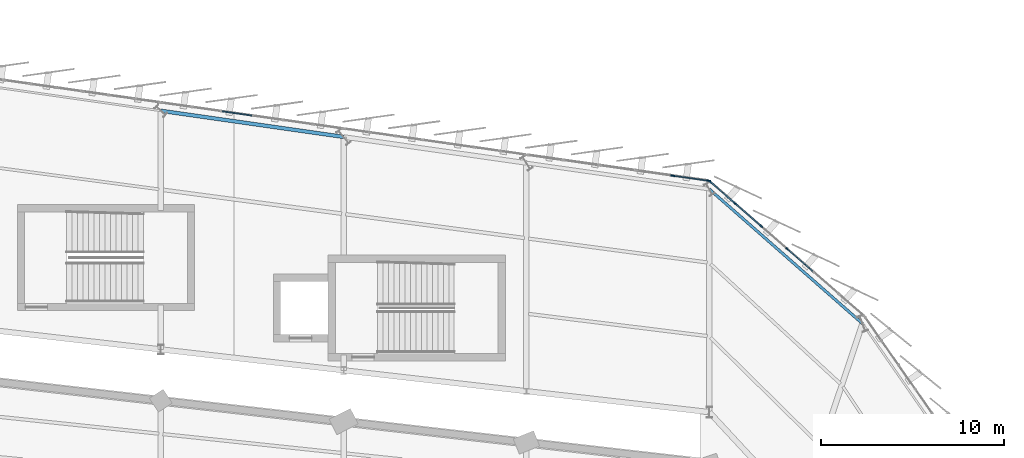
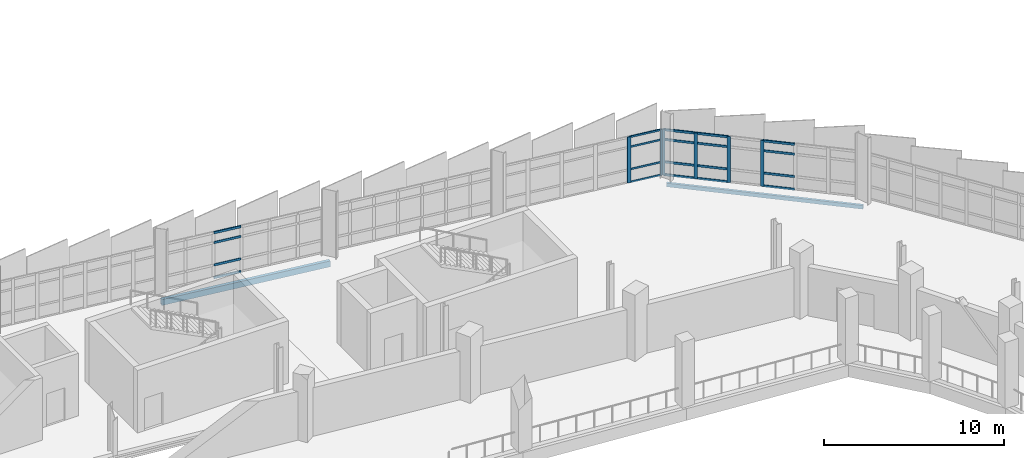
# One storey, part 75 of 125: 26 members, 2 beams, 3 elements without a shape of their own.
"""IFC4 building model written with IfcOpenShell, lengths in metres."""

from ifc_helpers import new_model, si_unit, direction, frame, origin, origin_2d, place, context, subcontext, project, spatial, rectangle, hollow_rectangle, extrude, material, layer, layer_set, material_profile, profile_set, type_object, element, aggregate, save


model = new_model("IFC4")

# Units and contexts
model_context = context("Model", 3, precision=1e-05, world=origin(), true_north=direction((0.0, 1.0)))
body_context = subcontext(model_context, "Body", "Model", "MODEL_VIEW")
ifc_project = project(units=[si_unit("LENGTHUNIT", "METRE"), si_unit("AREAUNIT", "SQUARE_METRE"), si_unit("VOLUMEUNIT", "CUBIC_METRE"), si_unit("PLANEANGLEUNIT", "RADIAN"), si_unit("MASSUNIT", "GRAM", prefix="KILO")], contexts=[model_context])

# Site, building, storey
site_placement = place(None, origin())
site = spatial("IfcSite", under=ifc_project, at=site_placement, CompositionType="ELEMENT")
building_placement = place(site_placement, origin())
building = spatial("IfcBuilding", under=site, at=building_placement, Name="Sohan Crest Arena", CompositionType="ELEMENT")
storey_placement = place(building_placement, frame((0.0, 0.0, 9.0)))
storey = spatial("IfcBuildingStorey", under=building, at=storey_placement, Name="L02", CompositionType="ELEMENT", Elevation=9.0)

# Curtain wall, members
ifc_material_1 = material(Name="Thermally broken anodised aluminium", Category="aluminium")
ifc_layer_1 = layer(ifc_material_1, 0.219970703125, Name="Thermally broken anodised aluminium")
ifc_layer_set_1 = layer_set([ifc_layer_1], Name="Thermally broken anodised aluminium")
curtain_wall_type_1 = type_object("IfcCurtainWallType", Name="ARC-CW03", PredefinedType="NOTDEFINED", material=ifc_layer_set_1)
curtain_wall_1_placement = place(storey_placement, origin())
curtain_wall_1 = element("IfcCurtainWall", 1, at=curtain_wall_1_placement, inside=storey, type_object=curtain_wall_type_1, Name="Unitised curtain wall CW-072", PredefinedType="NOTDEFINED")
ifc_material_profile_1 = material_profile(ifc_material_1, rectangle(XDim=0.070068359375, YDim=0.199951171875, at=origin_2d()), Name="ALU-MULL 70x200")
ifc_profile_set_1 = profile_set([ifc_material_profile_1], Name="Thermally broken anodised aluminium")
member_type_1 = type_object("IfcMemberType", Name="ARC-CW-ML03", PredefinedType="MULLION", material=ifc_profile_set_1)
member_1_placement = place(storey_placement, frame((172.2548828125, 112.736572265625, 0.0), z_axis=(0.0, 0.0, 1.0), x_axis=(-0.657538815294, -0.753420670265, 0.0)))
member_1 = element("IfcMember", 2, at=member_1_placement, type_object=member_type_1, Name="CW-072 mullion 4", PredefinedType="MULLION", context=body_context, shape_type="SweptSolid", body=[
    extrude(rectangle(XDim=0.070068359375, YDim=0.199951171875, at=origin_2d()), origin(), (0.0, 0.0, 1.0), 3.1201171875),
])
member_2_placement = place(storey_placement, frame((170.836669921875, 113.974365234375, 0.0), z_axis=(0.0, 0.0, 1.0), x_axis=(-0.657538815294, -0.753420670265, 0.0)))
member_2 = element("IfcMember", 3, at=member_2_placement, type_object=member_type_1, Name="CW-072 mullion 5", PredefinedType="MULLION", context=body_context, shape_type="SweptSolid", body=[
    extrude(rectangle(XDim=0.070068359375, YDim=0.199951171875, at=origin_2d()), origin(), (0.0, 0.0, 1.0), 3.1201171875),
])
member_3_placement = place(storey_placement, frame((169.418212890625, 115.212158203125, 0.0), z_axis=(0.0, 0.0, 1.0), x_axis=(-0.657538815294, -0.753420670265, 0.0)))
member_3 = element("IfcMember", 4, at=member_3_placement, type_object=member_type_1, Name="CW-072 mullion 6", PredefinedType="MULLION", context=body_context, shape_type="SweptSolid", body=[
    extrude(rectangle(XDim=0.070068359375, YDim=0.199951171875, at=origin_2d()), origin(), (0.0, 0.0, 1.0), 3.1201171875),
])
member_4_placement = place(storey_placement, frame((168.0263671875, 116.427001953125, 0.0), z_axis=(0.0, 0.0, 1.0), x_axis=(-0.657538815294, -0.753420670265, 0.0)))
member_4 = element("IfcMember", 5, at=member_4_placement, type_object=member_type_1, Name="CW-072 mullion 7", PredefinedType="MULLION", context=body_context, shape_type="SweptSolid", body=[
    extrude(rectangle(XDim=0.070068359375, YDim=0.199951171875, at=origin_2d()), origin(), (0.0, 0.0, 1.0), 3.1201171875),
])

ifc_layer_2 = layer(ifc_material_1, 0.239990234375, Name="Thermally broken anodised aluminium")
ifc_layer_set_2 = layer_set([ifc_layer_2], Name="Thermally broken anodised aluminium")
curtain_wall_type_2 = type_object("IfcCurtainWallType", Name="ARC-CW04", PredefinedType="NOTDEFINED", material=ifc_layer_set_2)
curtain_wall_2_placement = place(storey_placement, origin())
curtain_wall_2 = element("IfcCurtainWall", 6, at=curtain_wall_2_placement, inside=storey, type_object=curtain_wall_type_2, Name="Unitised curtain wall CW-073", PredefinedType="NOTDEFINED")
ifc_material_profile_2 = material_profile(ifc_material_1, rectangle(XDim=0.074951171875, YDim=0.219970703125, at=origin_2d()), Name="ALU-MULL 75x220")
ifc_profile_set_2 = profile_set([ifc_material_profile_2], Name="Thermally broken anodised aluminium")
member_type_2 = type_object("IfcMemberType", Name="ARC-CW-ML04", PredefinedType="MULLION", material=ifc_profile_set_2)
member_5_placement = place(storey_placement, frame((167.962890625, 116.455322265625, 0.0), z_axis=(0.0, 0.0, 1.0), x_axis=(-0.141462933734, -0.989943553128, 0.0)))
member_5 = element("IfcMember", 7, at=member_5_placement, type_object=member_type_2, Name="CW-073 mullion 1", PredefinedType="MULLION", context=body_context, shape_type="SweptSolid", body=[
    extrude(rectangle(XDim=0.074951171875, YDim=0.219970703125, at=origin_2d()), origin(), (0.0, 0.0, 1.0), 3.1201171875),
])
member_6_placement = place(storey_placement, frame((166.0, 116.73583984375, 0.0), z_axis=(0.0, 0.0, 1.0), x_axis=(-0.141462933734, -0.989943553128, 0.0)))
member_6 = element("IfcMember", 8, at=member_6_placement, type_object=member_type_2, Name="CW-073 mullion 2", PredefinedType="MULLION", context=body_context, shape_type="SweptSolid", body=[
    extrude(rectangle(XDim=0.074951171875, YDim=0.219970703125, at=origin_2d()), origin(), (0.0, 0.0, 1.0), 3.1201171875),
])
ifc_material_profile_3 = material_profile(ifc_material_1, rectangle(XDim=0.06005859375, YDim=0.1201171875, at=origin_2d()), Name="ALU-TRAN 60x120")
ifc_profile_set_3 = profile_set([ifc_material_profile_3], Name="Thermally broken anodised aluminium")
member_type_3 = type_object("IfcMemberType", Name="ARC-CW-TR01", PredefinedType="USERDEFINED", material=ifc_profile_set_3)
member_7_placement = place(storey_placement, frame((167.92578125, 116.460693359375, 0.030029296875), z_axis=(-0.989952052837, 0.141403440846, 0.0), x_axis=(-0.141403440846, -0.989952052837, 0.0)))
member_7 = element("IfcMember", 9, at=member_7_placement, type_object=member_type_3, Name="CW-073 transom 1.1", ObjectType="TRANSOM", PredefinedType="USERDEFINED", context=body_context, shape_type="SweptSolid", body=[
    extrude(rectangle(XDim=0.06005859375, YDim=0.1201171875, at=origin_2d()), origin(), (0.0, 0.0, 1.0), 1.907958984375),
])
member_8_placement = place(storey_placement, frame((167.92578125, 116.460693359375, 0.89990234375), z_axis=(-0.989952052837, 0.141403440846, 0.0), x_axis=(-0.141403440846, -0.989952052837, 0.0)))
member_8 = element("IfcMember", 10, at=member_8_placement, type_object=member_type_3, Name="CW-073 transom 1.2", ObjectType="TRANSOM", PredefinedType="USERDEFINED", context=body_context, shape_type="SweptSolid", body=[
    extrude(rectangle(XDim=0.06005859375, YDim=0.1201171875, at=origin_2d()), origin(), (0.0, 0.0, 1.0), 1.907958984375),
])
member_9_placement = place(storey_placement, frame((167.92578125, 116.460693359375, 2.419921875), z_axis=(-0.989952052837, 0.141403440846, 0.0), x_axis=(-0.141403440846, -0.989952052837, 0.0)))
member_9 = element("IfcMember", 11, at=member_9_placement, type_object=member_type_3, Name="CW-073 transom 1.3", ObjectType="TRANSOM", PredefinedType="USERDEFINED", context=body_context, shape_type="SweptSolid", body=[
    extrude(rectangle(XDim=0.06005859375, YDim=0.1201171875, at=origin_2d()), origin(), (0.0, 0.0, 1.0), 1.907958984375),
])
member_10_placement = place(storey_placement, frame((167.92578125, 116.460693359375, 3.090087890625), z_axis=(-0.989952052837, 0.141403440846, 0.0), x_axis=(-0.141403440846, -0.989952052837, 0.0)))
member_10 = element("IfcMember", 12, at=member_10_placement, type_object=member_type_3, Name="CW-073 transom 1.4", ObjectType="TRANSOM", PredefinedType="USERDEFINED", context=body_context, shape_type="SweptSolid", body=[
    extrude(rectangle(XDim=0.06005859375, YDim=0.1201171875, at=origin_2d()), origin(), (0.0, 0.0, 1.0), 1.907958984375),
])
aggregate(curtain_wall_2, [member_5, member_6, member_7, member_8, member_9, member_10])

# Member
ifc_material_profile_4 = material_profile(ifc_material_1, rectangle(XDim=0.070068359375, YDim=0.14990234375, at=origin_2d()), Name="ALU-TRAN 70x150")
ifc_profile_set_4 = profile_set([ifc_material_profile_4], Name="Thermally broken anodised aluminium")
member_type_4 = type_object("IfcMemberType", Name="ARC-CW-TR03", PredefinedType="USERDEFINED", material=ifc_profile_set_4)
member_11_placement = place(storey_placement, frame((173.64697265625, 111.521728515625, 0.034912109375), z_axis=(-0.753493809006, 0.657455002102, 0.0), x_axis=(-0.657455002102, -0.753493809006, 0.0)))
member_11 = element("IfcMember", 13, at=member_11_placement, type_object=member_type_4, Name="CW-072 transom 3.1", ObjectType="TRANSOM", PredefinedType="USERDEFINED", context=body_context, shape_type="SweptSolid", body=[
    extrude(rectangle(XDim=0.070068359375, YDim=0.14990234375, at=origin_2d()), origin(), (0.0, 0.0, 1.0), 1.8125),
])

member_12_placement = place(storey_placement, frame((173.64697265625, 111.521728515625, 0.89990234375), z_axis=(-0.753493809006, 0.657455002102, 0.0), x_axis=(-0.657455002102, -0.753493809006, 0.0)))
member_12 = element("IfcMember", 14, at=member_12_placement, type_object=member_type_4, Name="CW-072 transom 3.2", ObjectType="TRANSOM", PredefinedType="USERDEFINED", context=body_context, shape_type="SweptSolid", body=[
    extrude(rectangle(XDim=0.070068359375, YDim=0.14990234375, at=origin_2d()), origin(), (0.0, 0.0, 1.0), 1.8125),
])

member_13_placement = place(storey_placement, frame((173.64697265625, 111.521728515625, 2.419921875), z_axis=(-0.753493809006, 0.657455002102, 0.0), x_axis=(-0.657455002102, -0.753493809006, 0.0)))
member_13 = element("IfcMember", 15, at=member_13_placement, type_object=member_type_4, Name="CW-072 transom 3.3", ObjectType="TRANSOM", PredefinedType="USERDEFINED", context=body_context, shape_type="SweptSolid", body=[
    extrude(rectangle(XDim=0.070068359375, YDim=0.14990234375, at=origin_2d()), origin(), (0.0, 0.0, 1.0), 1.8125),
])

member_14_placement = place(storey_placement, frame((173.64697265625, 111.521728515625, 3.0849609375), z_axis=(-0.753493809006, 0.657455002102, 0.0), x_axis=(-0.657455002102, -0.753493809006, 0.0)))
member_14 = element("IfcMember", 16, at=member_14_placement, type_object=member_type_4, Name="CW-072 transom 3.4", ObjectType="TRANSOM", PredefinedType="USERDEFINED", context=body_context, shape_type="SweptSolid", body=[
    extrude(rectangle(XDim=0.070068359375, YDim=0.14990234375, at=origin_2d()), origin(), (0.0, 0.0, 1.0), 1.8125),
])

member_15_placement = place(storey_placement, frame((170.810302734375, 113.997314453125, 0.034912109375), z_axis=(-0.753368844285, 0.657598193778, 0.0), x_axis=(-0.657598193778, -0.753368844285, 0.0)))
member_15 = element("IfcMember", 17, at=member_15_placement, type_object=member_type_4, Name="CW-072 transom 5.1", ObjectType="TRANSOM", PredefinedType="USERDEFINED", context=body_context, shape_type="SweptSolid", body=[
    extrude(rectangle(XDim=0.070068359375, YDim=0.14990234375, at=origin_2d()), origin(), (0.0, 0.0, 1.0), 1.8125),
])

member_16_placement = place(storey_placement, frame((170.810302734375, 113.997314453125, 0.89990234375), z_axis=(-0.753368844285, 0.657598193778, 0.0), x_axis=(-0.657598193778, -0.753368844285, 0.0)))
member_16 = element("IfcMember", 18, at=member_16_placement, type_object=member_type_4, Name="CW-072 transom 5.2", ObjectType="TRANSOM", PredefinedType="USERDEFINED", context=body_context, shape_type="SweptSolid", body=[
    extrude(rectangle(XDim=0.070068359375, YDim=0.14990234375, at=origin_2d()), origin(), (0.0, 0.0, 1.0), 1.8125),
])

member_17_placement = place(storey_placement, frame((170.810302734375, 113.997314453125, 2.419921875), z_axis=(-0.753368844285, 0.657598193778, 0.0), x_axis=(-0.657598193778, -0.753368844285, 0.0)))
member_17 = element("IfcMember", 19, at=member_17_placement, type_object=member_type_4, Name="CW-072 transom 5.3", ObjectType="TRANSOM", PredefinedType="USERDEFINED", context=body_context, shape_type="SweptSolid", body=[
    extrude(rectangle(XDim=0.070068359375, YDim=0.14990234375, at=origin_2d()), origin(), (0.0, 0.0, 1.0), 1.8125),
])

member_18_placement = place(storey_placement, frame((170.810302734375, 113.997314453125, 3.0849609375), z_axis=(-0.753368844285, 0.657598193778, 0.0), x_axis=(-0.657598193778, -0.753368844285, 0.0)))
member_18 = element("IfcMember", 20, at=member_18_placement, type_object=member_type_4, Name="CW-072 transom 5.4", ObjectType="TRANSOM", PredefinedType="USERDEFINED", context=body_context, shape_type="SweptSolid", body=[
    extrude(rectangle(XDim=0.070068359375, YDim=0.14990234375, at=origin_2d()), origin(), (0.0, 0.0, 1.0), 1.8125),
])

member_19_placement = place(storey_placement, frame((169.391845703125, 115.235107421875, 0.034912109375), z_axis=(-0.753350424834, 0.657619295188, 0.0), x_axis=(-0.657619295188, -0.753350424834, 0.0)))
member_19 = element("IfcMember", 21, at=member_19_placement, type_object=member_type_4, Name="CW-072 transom 6.1", ObjectType="TRANSOM", PredefinedType="USERDEFINED", context=body_context, shape_type="SweptSolid", body=[
    extrude(rectangle(XDim=0.070068359375, YDim=0.14990234375, at=origin_2d()), origin(), (0.0, 0.0, 1.0), 1.777587890625),
])

member_20_placement = place(storey_placement, frame((169.391845703125, 115.235107421875, 0.89990234375), z_axis=(-0.753350424834, 0.657619295188, 0.0), x_axis=(-0.657619295188, -0.753350424834, 0.0)))
member_20 = element("IfcMember", 22, at=member_20_placement, type_object=member_type_4, Name="CW-072 transom 6.2", ObjectType="TRANSOM", PredefinedType="USERDEFINED", context=body_context, shape_type="SweptSolid", body=[
    extrude(rectangle(XDim=0.070068359375, YDim=0.14990234375, at=origin_2d()), origin(), (0.0, 0.0, 1.0), 1.777587890625),
])

member_21_placement = place(storey_placement, frame((169.391845703125, 115.235107421875, 2.419921875), z_axis=(-0.753350424834, 0.657619295188, 0.0), x_axis=(-0.657619295188, -0.753350424834, 0.0)))
member_21 = element("IfcMember", 23, at=member_21_placement, type_object=member_type_4, Name="CW-072 transom 6.3", ObjectType="TRANSOM", PredefinedType="USERDEFINED", context=body_context, shape_type="SweptSolid", body=[
    extrude(rectangle(XDim=0.070068359375, YDim=0.14990234375, at=origin_2d()), origin(), (0.0, 0.0, 1.0), 1.777587890625),
])

member_22_placement = place(storey_placement, frame((169.391845703125, 115.235107421875, 3.0849609375), z_axis=(-0.753350424834, 0.657619295188, 0.0), x_axis=(-0.657619295188, -0.753350424834, 0.0)))
member_22 = element("IfcMember", 24, at=member_22_placement, type_object=member_type_4, Name="CW-072 transom 6.4", ObjectType="TRANSOM", PredefinedType="USERDEFINED", context=body_context, shape_type="SweptSolid", body=[
    extrude(rectangle(XDim=0.070068359375, YDim=0.14990234375, at=origin_2d()), origin(), (0.0, 0.0, 1.0), 1.777587890625),
])

aggregate(curtain_wall_1, [member_1, member_2, member_3, member_4, member_11, member_12, member_13, member_14, member_15, member_16, member_17, member_18, member_19, member_20, member_21, member_22])

# Curtain wall, members
ifc_layer_3 = layer(ifc_material_1, 0.2099609375, Name="Thermally broken anodised aluminium")
ifc_layer_set_3 = layer_set([ifc_layer_3], Name="Thermally broken anodised aluminium")
curtain_wall_type_3 = type_object("IfcCurtainWallType", Name="ARC-CW06", PredefinedType="NOTDEFINED", material=ifc_layer_set_3)
curtain_wall_3_placement = place(storey_placement, origin())
curtain_wall_3 = element("IfcCurtainWall", 25, at=curtain_wall_3_placement, inside=storey, type_object=curtain_wall_type_3, Name="Unitised curtain wall CW-075", PredefinedType="NOTDEFINED")
member_23_placement = place(storey_placement, frame((142.9677734375, 120.026123046875, 0.034912109375), z_axis=(-0.98994044144, 0.141484707309, 0.0), x_axis=(-0.141484707309, -0.98994044144, 0.0)))
member_23 = element("IfcMember", 26, at=member_23_placement, type_object=member_type_4, Name="CW-075 transom 4.1", ObjectType="TRANSOM", PredefinedType="USERDEFINED", context=body_context, shape_type="SweptSolid", body=[
    extrude(rectangle(XDim=0.070068359375, YDim=0.14990234375, at=origin_2d()), origin(), (0.0, 0.0, 1.0), 1.61865234375),
])
member_24_placement = place(storey_placement, frame((142.9677734375, 120.026123046875, 0.89990234375), z_axis=(-0.98994044144, 0.141484707309, 0.0), x_axis=(-0.141484707309, -0.98994044144, 0.0)))
member_24 = element("IfcMember", 27, at=member_24_placement, type_object=member_type_4, Name="CW-075 transom 4.2", ObjectType="TRANSOM", PredefinedType="USERDEFINED", context=body_context, shape_type="SweptSolid", body=[
    extrude(rectangle(XDim=0.070068359375, YDim=0.14990234375, at=origin_2d()), origin(), (0.0, 0.0, 1.0), 1.61865234375),
])
member_25_placement = place(storey_placement, frame((142.9677734375, 120.026123046875, 2.419921875), z_axis=(-0.98994044144, 0.141484707309, 0.0), x_axis=(-0.141484707309, -0.98994044144, 0.0)))
member_25 = element("IfcMember", 28, at=member_25_placement, type_object=member_type_4, Name="CW-075 transom 4.3", ObjectType="TRANSOM", PredefinedType="USERDEFINED", context=body_context, shape_type="SweptSolid", body=[
    extrude(rectangle(XDim=0.070068359375, YDim=0.14990234375, at=origin_2d()), origin(), (0.0, 0.0, 1.0), 1.61865234375),
])
member_26_placement = place(storey_placement, frame((142.9677734375, 120.026123046875, 3.0849609375), z_axis=(-0.98994044144, 0.141484707309, 0.0), x_axis=(-0.141484707309, -0.98994044144, 0.0)))
member_26 = element("IfcMember", 29, at=member_26_placement, type_object=member_type_4, Name="CW-075 transom 4.4", ObjectType="TRANSOM", PredefinedType="USERDEFINED", context=body_context, shape_type="SweptSolid", body=[
    extrude(rectangle(XDim=0.070068359375, YDim=0.14990234375, at=origin_2d()), origin(), (0.0, 0.0, 1.0), 1.61865234375),
])
aggregate(curtain_wall_3, [member_23, member_24, member_25, member_26])

# Beams
ifc_material_2 = material(Name="Steel S355", Category="steel")
ifc_material_profile_5 = material_profile(ifc_material_2, hollow_rectangle(XDim=0.14990234375, YDim=0.25, WallThickness=0.010009765625, at=origin_2d()), Name="RHS 250x150x10")
ifc_profile_set_5 = profile_set([ifc_material_profile_5], Name="Steel S355")
beam_type_1 = type_object("IfcBeamType", Name="STR-BM-SP02", PredefinedType="SPANDREL", material=ifc_profile_set_5)
beam_1_placement = place(storey_placement, frame((176.383056640625, 108.64501953125, -0.375), z_axis=(-0.751695897988, 0.659509876308, 0.0), x_axis=(-0.659509876308, -0.751695897988, 0.0)))
element("IfcBeam", 30, at=beam_1_placement, inside=storey, type_object=beam_type_1, Name="Structural beam SP-L02-1363", PredefinedType="SPANDREL", context=body_context, shape_type="SweptSolid", body=[
    extrude(hollow_rectangle(XDim=0.14990234375, YDim=0.25, WallThickness=0.010009765625, at=origin_2d()), origin(), (0.0, 0.0, 1.0), 11.152099609375),
])
ifc_material_profile_6 = material_profile(ifc_material_2, hollow_rectangle(XDim=0.199951171875, YDim=0.39990234375, WallThickness=0.012451171875, at=origin_2d()), Name="RHS 400x200x12.5")
ifc_profile_set_6 = profile_set([ifc_material_profile_6], Name="Steel S355")
beam_type_2 = type_object("IfcBeamType", Name="STR-BM-SP05", PredefinedType="SPANDREL", material=ifc_profile_set_6)
beam_2_placement = place(storey_placement, frame((148.0, 118.85693359375, -0.449951171875), z_axis=(-0.989944175879, 0.141458575718, 0.0), x_axis=(-0.141458575718, -0.989944175879, 0.0)))
element("IfcBeam", 31, at=beam_2_placement, inside=storey, type_object=beam_type_2, Name="Structural beam SP-L02-1378", PredefinedType="SPANDREL", context=body_context, shape_type="SweptSolid", body=[
    extrude(hollow_rectangle(XDim=0.199951171875, YDim=0.39990234375, WallThickness=0.012451171875, at=origin_2d()), origin(), (0.0, 0.0, 1.0), 10.1015625),
])

save(model, "model.ifc")
